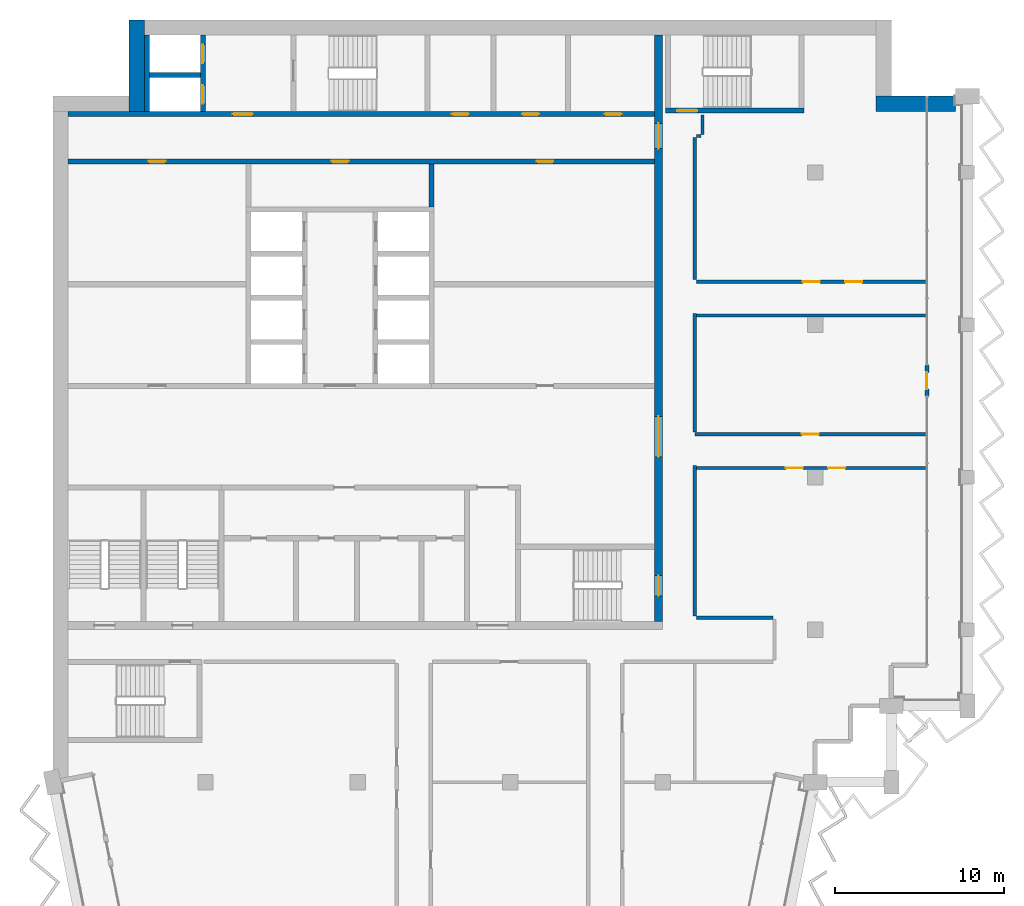
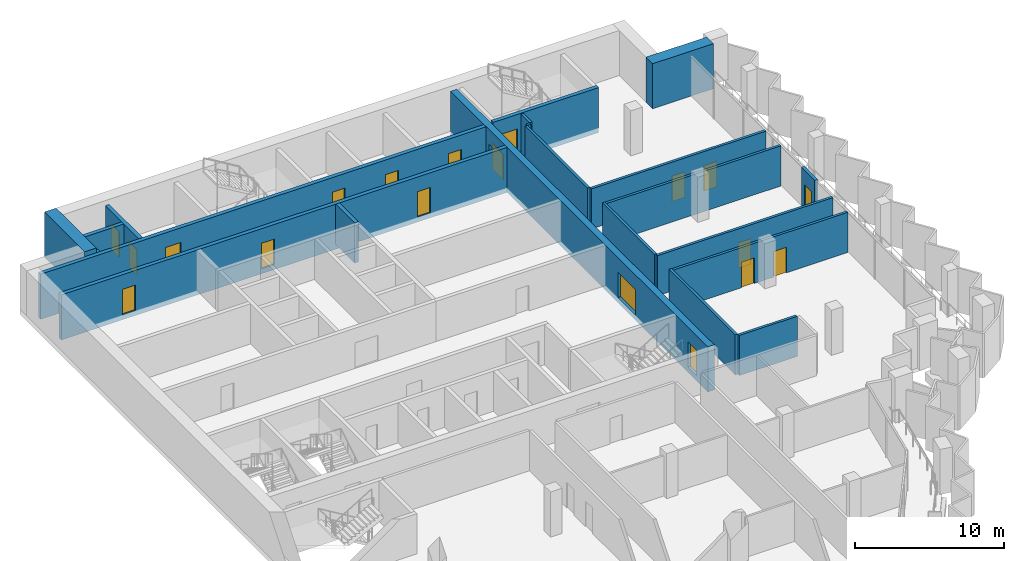
# One storey, part 9 of 14: 21 walls, 19 doors, 19 openings.
"""IFC4 building model written with IfcOpenShell, lengths in metres."""

from ifc_helpers import new_model, si_unit, direction, frame, frame_2d, origin, place, context, subcontext, project, spatial, rectangle, extrude, material, layer, layer_set, type_object, element, fill, save


model = new_model("IFC4")

# Units and contexts
model_context = context("Model", 3, precision=1e-05, world=origin(), true_north=direction((0.0, 1.0)))
body_context = subcontext(model_context, "Body", "Model", "MODEL_VIEW")
ifc_project = project(units=[si_unit("LENGTHUNIT", "METRE"), si_unit("AREAUNIT", "SQUARE_METRE"), si_unit("VOLUMEUNIT", "CUBIC_METRE"), si_unit("PLANEANGLEUNIT", "RADIAN"), si_unit("MASSUNIT", "GRAM", prefix="KILO")], contexts=[model_context])

# Site, building, storey
site_placement = place(None, origin())
site = spatial("IfcSite", under=ifc_project, at=site_placement, CompositionType="ELEMENT")
building_placement = place(site_placement, origin())
building = spatial("IfcBuilding", under=site, at=building_placement, Name="Hunhe Ridgeline Campus", CompositionType="ELEMENT")
storey_placement = place(building_placement, frame((0.0, 0.0, 288.199951171875)))
storey = spatial("IfcBuildingStorey", under=building, at=storey_placement, Name="L74", CompositionType="ELEMENT", Elevation=288.199951171875)

# Wall
ifc_material_1 = material(Name="Masonry concrete blockwork", Category="masonry")
ifc_layer_1 = layer(ifc_material_1, 0.300048828125)
ifc_layer_set_1 = layer_set([ifc_layer_1], Name="Core room partition 300 concrete block")
wall_type_1 = type_object("IfcWallType", Name="Core room partition 300 concrete block", PredefinedType="PARTITIONING", material=ifc_layer_set_1)
wall_1_placement = place(storey_placement, frame((22.35009765625, 87.949951171875, 0.0), z_axis=(0.0, 0.0, 1.0), x_axis=(0.0, 1.0, 0.0)))
element("IfcWall", 1, at=wall_1_placement, inside=storey, type_object=wall_type_1, Name="L74 core partition 38", PredefinedType="PARTITIONING", context=body_context, shape_type="SweptSolid", body=[
    extrude(rectangle(XDim=2.550048828125, YDim=0.300048828125, at=frame_2d((1.27490234375, 0.0))), origin(), (0.0, 0.0, 1.0), 3.300048828125),
])

# Wall, openings, doors
ifc_material_2 = material(Name="Concrete C50", Category="concrete")
ifc_layer_2 = layer(ifc_material_2, 0.5)
ifc_layer_set_2 = layer_set([ifc_layer_2], Name="Core wall 500 reinforced concrete C50")
wall_type_2 = type_object("IfcWallType", Name="Core wall 500 reinforced concrete C50", PredefinedType="SOLIDWALL", material=ifc_layer_set_2)
wall_2_placement = place(storey_placement, frame((35.75, 63.5, -0.39990234375), z_axis=(0.0, 0.0, 1.0), x_axis=(0.0, 1.0, 0.0)))
wall_2 = element("IfcWall", 2, at=wall_2_placement, inside=storey, type_object=wall_type_2, Name="L74 core wall 44", PredefinedType="SOLIDWALL", context=body_context, shape_type="SweptSolid", body=[
    extrude(rectangle(XDim=34.60009765625, YDim=0.5, at=frame_2d((17.300048828125, 0.0))), origin(), (0.0, 0.0, 1.0), 3.699951171875),
])
opening_1_placement = place(wall_2_placement, frame((9.699951171875, 0.0, 0.39990234375)))
opening_1 = element("IfcOpeningElement", 3, at=opening_1_placement, cuts=wall_2, Name="Opening CD4", PredefinedType="OPENING", context=body_context, shape_type="SweptSolid", body=[
    extrude(rectangle(XDim=2.39990234375, YDim=2.10009765625, at=frame_2d((1.199951171875, 1.050048828125))), frame((0.0, 0.25, 0.0), z_axis=(0.0, -1.0, 0.0), x_axis=(1.0, 0.0, 0.0)), (0.0, 0.0, 1.0), 0.5),
])
opening_2_placement = place(wall_2_placement, frame((27.89990234375, 0.0, 0.39990234375)))
opening_2 = element("IfcOpeningElement", 4, at=opening_2_placement, cuts=wall_2, Name="Opening CD5", PredefinedType="OPENING", context=body_context, shape_type="SweptSolid", body=[
    extrude(rectangle(XDim=1.5, YDim=2.10009765625, at=frame_2d((0.75, 1.050048828125))), frame((0.0, 0.25, 0.0), z_axis=(0.0, -1.0, 0.0), x_axis=(1.0, 0.0, 0.0)), (0.0, 0.0, 1.0), 0.5),
])
opening_3_placement = place(wall_2_placement, frame((1.5, 0.0, 0.39990234375)))
opening_3 = element("IfcOpeningElement", 5, at=opening_3_placement, cuts=wall_2, Name="Opening CD15", PredefinedType="OPENING", context=body_context, shape_type="SweptSolid", body=[
    extrude(rectangle(XDim=1.199951171875, YDim=2.10009765625, at=frame_2d((0.60009765625, 1.050048828125))), frame((0.0, 0.25, 0.0), z_axis=(0.0, -1.0, 0.0), x_axis=(1.0, 0.0, 0.0)), (0.0, 0.0, 1.0), 0.5),
])
ifc_material_3 = material(Name="Anodised aluminium and glass", Category="aluminium")
door_type_1 = type_object("IfcDoorType", Name="Glazed double door 2400x2100", OperationType="DOUBLE_DOOR_SINGLE_SWING", PredefinedType="DOOR", material=ifc_material_3)
door_1_placement = place(opening_1_placement, frame((2.39990234375, 0.0, 0.0), z_axis=(0.0, 0.0, 1.0), x_axis=(-1.0, 0.0, 0.0)))
door_1 = element("IfcDoor", 6, at=door_1_placement, inside=storey, type_object=door_type_1, Name="L74 door HALL-FLOOR", OperationType="DOUBLE_DOOR_SINGLE_SWING", OverallHeight=2.10009765625, OverallWidth=2.39990234375, PredefinedType="DOOR", context=body_context, shape_type="SweptSolid", body=[
    extrude(rectangle(XDim=2.39990234375, YDim=2.10009765625, at=frame_2d((1.199951171875, 1.050048828125))), frame((0.0, 0.02490234375, 0.0), z_axis=(0.0, -1.0, 0.0), x_axis=(1.0, 0.0, 0.0)), (0.0, 0.0, 1.0), 0.050048828125),
])
fill(opening_1, door_1)
ifc_material_4 = material(Name="Hollow metal fire door leaf")
door_type_2 = type_object("IfcDoorType", Name="Stair door 1200x2100 FD60", OperationType="SINGLE_SWING_LEFT", PredefinedType="DOOR", material=ifc_material_4)
door_2_placement = place(opening_3_placement, frame((1.199951171875, 0.0, 0.0), z_axis=(0.0, 0.0, 1.0), x_axis=(-1.0, 0.0, 0.0)))
door_2 = element("IfcDoor", 7, at=door_2_placement, inside=storey, type_object=door_type_2, Name="L74 door S2-FLOOR", OperationType="SINGLE_SWING_LEFT", OverallHeight=2.10009765625, OverallWidth=1.199951171875, PredefinedType="DOOR", context=body_context, shape_type="SweptSolid", body=[
    extrude(rectangle(XDim=1.199951171875, YDim=2.10009765625, at=frame_2d((0.60009765625, 1.050048828125))), frame((0.0, 0.02490234375, 0.0), z_axis=(0.0, -1.0, 0.0), x_axis=(1.0, 0.0, 0.0)), (0.0, 0.0, 1.0), 0.050048828125),
])
fill(opening_3, door_2)
ifc_material_5 = material(Name="Solid core timber door leaf", Category="wood")
door_type_3 = type_object("IfcDoorType", Name="Timber door 1500x2100", OperationType="SINGLE_SWING_LEFT", PredefinedType="DOOR", material=ifc_material_5)
door_3_placement = place(opening_2_placement, frame((1.5, 0.0, 0.0), z_axis=(0.0, 0.0, 1.0), x_axis=(-1.0, 0.0, 0.0)))
door_3 = element("IfcDoor", 8, at=door_3_placement, inside=storey, type_object=door_type_3, Name="L74 door C1-FLOOR", OperationType="SINGLE_SWING_LEFT", OverallHeight=2.10009765625, OverallWidth=1.5, PredefinedType="DOOR", context=body_context, shape_type="SweptSolid", body=[
    extrude(rectangle(XDim=1.5, YDim=2.10009765625, at=frame_2d((0.75, 1.050048828125))), frame((0.0, 0.02490234375, 0.0), z_axis=(0.0, -1.0, 0.0), x_axis=(1.0, 0.0, 0.0)), (0.0, 0.0, 1.0), 0.050048828125),
])
fill(opening_2, door_3)

# Wall
ifc_material_6 = material(Name="Gypsum board partition")
ifc_layer_3 = layer(ifc_material_6, 0.199951171875)
ifc_layer_set_3 = layer_set([ifc_layer_3], Name="Corridor partition 200 gypsum board on steel studs")
wall_type_3 = type_object("IfcWallType", Name="Corridor partition 200 gypsum board on steel studs", PredefinedType="PARTITIONING", material=ifc_layer_set_3)
wall_3_placement = place(storey_placement, frame((38.0, 63.699951171875, 0.0), z_axis=(0.0, 0.0, 1.0), x_axis=(1.0, 0.0, 0.0)))
element("IfcWall", 9, at=wall_3_placement, inside=storey, type_object=wall_type_3, Name="F-L74-wall-015", PredefinedType="PARTITIONING", context=body_context, shape_type="SweptSolid", body=[
    extrude(rectangle(XDim=4.5, YDim=0.199951171875, at=frame_2d((2.25, 0.0))), origin(), (0.0, 0.0, 1.0), 3.300048828125),
])

# Wall, openings, doors
wall_4_placement = place(storey_placement, frame((51.544921875, 72.550048828125, 0.0), z_axis=(0.0, 0.0, 1.0), x_axis=(-1.0, 0.0, 0.0)))
wall_4 = element("IfcWall", 10, at=wall_4_placement, inside=storey, type_object=wall_type_3, Name="F-L74-wall-016", PredefinedType="PARTITIONING", context=body_context, shape_type="SweptSolid", body=[
    extrude(rectangle(XDim=13.544921875, YDim=0.199951171875, at=frame_2d((6.7724609375, 0.0))), origin(), (0.0, 0.0, 1.0), 3.300048828125),
])
opening_4_placement = place(wall_4_placement, frame((7.2724609375, 0.0, 0.0)))
opening_4 = element("IfcOpeningElement", 11, at=opening_4_placement, cuts=wall_4, Name="Opening RD1-012", PredefinedType="OPENING", context=body_context, shape_type="SweptSolid", body=[
    extrude(rectangle(XDim=1.0, YDim=2.10009765625, at=frame_2d((0.5, 1.050048828125))), frame((0.0, 0.10009765625, 0.0), z_axis=(0.0, -1.0, 0.0), x_axis=(1.0, 0.0, 0.0)), (0.0, 0.0, 1.0), 0.199951171875),
])
opening_5_placement = place(wall_4_placement, frame((4.7724609375, 0.0, 0.0)))
opening_5 = element("IfcOpeningElement", 12, at=opening_5_placement, cuts=wall_4, Name="Opening RD1-013", PredefinedType="OPENING", context=body_context, shape_type="SweptSolid", body=[
    extrude(rectangle(XDim=1.0, YDim=2.10009765625, at=frame_2d((0.5, 1.050048828125))), frame((0.0, 0.10009765625, 0.0), z_axis=(0.0, -1.0, 0.0), x_axis=(1.0, 0.0, 0.0)), (0.0, 0.0, 1.0), 0.199951171875),
])
ifc_material_7 = material(Name="Timber door leaf", Category="wood")
door_type_4 = type_object("IfcDoorType", Name="Single fire door 1000x2100 timber FD60", OperationType="NOTDEFINED", PredefinedType="DOOR", material=ifc_material_7)
door_4_placement = place(opening_4_placement, frame((1.0, 0.0, 0.0), z_axis=(0.0, 0.0, 1.0), x_axis=(-1.0, 0.0, 0.0)))
door_4 = element("IfcDoor", 13, at=door_4_placement, inside=storey, type_object=door_type_4, Name="F-L74-door-012", OperationType="SINGLE_SWING_LEFT", OverallHeight=2.10009765625, OverallWidth=1.0, PredefinedType="DOOR", context=body_context, shape_type="SweptSolid", body=[
    extrude(rectangle(XDim=1.0, YDim=2.10009765625, at=frame_2d((0.5, 1.050048828125))), frame((0.0, 0.02490234375, 0.0), z_axis=(0.0, -1.0, 0.0), x_axis=(1.0, 0.0, 0.0)), (0.0, 0.0, 1.0), 0.050048828125),
])
fill(opening_4, door_4)
door_5_placement = place(opening_5_placement, frame((1.0, 0.0, 0.0), z_axis=(0.0, 0.0, 1.0), x_axis=(-1.0, 0.0, 0.0)))
door_5 = element("IfcDoor", 14, at=door_5_placement, inside=storey, type_object=door_type_4, Name="F-L74-door-013", OperationType="SINGLE_SWING_RIGHT", OverallHeight=2.10009765625, OverallWidth=1.0, PredefinedType="DOOR", context=body_context, shape_type="SweptSolid", body=[
    extrude(rectangle(XDim=1.0, YDim=2.10009765625, at=frame_2d((0.5, 1.050048828125))), frame((0.0, 0.02490234375, 0.0), z_axis=(0.0, -1.0, 0.0), x_axis=(1.0, 0.0, 0.0)), (0.0, 0.0, 1.0), 0.050048828125),
])
fill(opening_5, door_5)

# Wall, opening, door
wall_5_placement = place(storey_placement, frame((37.89990234375, 74.550048828125, 0.0), z_axis=(0.0, 0.0, 1.0), x_axis=(1.0, 0.0, 0.0)))
wall_5 = element("IfcWall", 15, at=wall_5_placement, inside=storey, type_object=wall_type_3, Name="F-L74-wall-017", PredefinedType="PARTITIONING", context=body_context, shape_type="SweptSolid", body=[
    extrude(rectangle(XDim=13.64501953125, YDim=0.199951171875, at=frame_2d((6.822509765625, 0.0))), origin(), (0.0, 0.0, 1.0), 3.300048828125),
])
opening_6_placement = place(wall_5_placement, frame((6.322509765625, 0.0, 0.0)))
opening_6 = element("IfcOpeningElement", 16, at=opening_6_placement, cuts=wall_5, Name="Opening RD1-014", PredefinedType="OPENING", context=body_context, shape_type="SweptSolid", body=[
    extrude(rectangle(XDim=1.0, YDim=2.10009765625, at=frame_2d((0.5, 1.050048828125))), frame((0.0, 0.10009765625, 0.0), z_axis=(0.0, -1.0, 0.0), x_axis=(1.0, 0.0, 0.0)), (0.0, 0.0, 1.0), 0.199951171875),
])
door_6_placement = place(opening_6_placement, origin())
door_6 = element("IfcDoor", 17, at=door_6_placement, inside=storey, type_object=door_type_4, Name="F-L74-door-014", OperationType="SINGLE_SWING_RIGHT", OverallHeight=2.10009765625, OverallWidth=1.0, PredefinedType="DOOR", context=body_context, shape_type="SweptSolid", body=[
    extrude(rectangle(XDim=1.0, YDim=2.10009765625, at=frame_2d((0.5, 1.050048828125))), frame((0.0, 0.02490234375, 0.0), z_axis=(0.0, -1.0, 0.0), x_axis=(1.0, 0.0, 0.0)), (0.0, 0.0, 1.0), 0.050048828125),
])
fill(opening_6, door_6)

# Wall
wall_6_placement = place(storey_placement, frame((51.544921875, 81.550048828125, 0.0), z_axis=(0.0, 0.0, 1.0), x_axis=(-1.0, 0.0, 0.0)))
element("IfcWall", 18, at=wall_6_placement, inside=storey, type_object=wall_type_3, Name="F-L74-wall-018", PredefinedType="PARTITIONING", context=body_context, shape_type="SweptSolid", body=[
    extrude(rectangle(XDim=13.544921875, YDim=0.199951171875, at=frame_2d((6.7724609375, 0.0))), origin(), (0.0, 0.0, 1.0), 3.300048828125),
])

# Wall, openings, doors
wall_7_placement = place(storey_placement, frame((38.0, 83.550048828125, 0.0), z_axis=(0.0, 0.0, 1.0), x_axis=(1.0, 0.0, 0.0)))
wall_7 = element("IfcWall", 19, at=wall_7_placement, inside=storey, type_object=wall_type_3, Name="F-L74-wall-019", PredefinedType="PARTITIONING", context=body_context, shape_type="SweptSolid", body=[
    extrude(rectangle(XDim=13.544921875, YDim=0.199951171875, at=frame_2d((6.7724609375, 0.0))), origin(), (0.0, 0.0, 1.0), 3.300048828125),
])
opening_7_placement = place(wall_7_placement, frame((6.2724609375, 0.0, 0.0)))
opening_7 = element("IfcOpeningElement", 20, at=opening_7_placement, cuts=wall_7, Name="Opening RD1-015", PredefinedType="OPENING", context=body_context, shape_type="SweptSolid", body=[
    extrude(rectangle(XDim=1.0, YDim=2.10009765625, at=frame_2d((0.5, 1.050048828125))), frame((0.0, 0.10009765625, 0.0), z_axis=(0.0, -1.0, 0.0), x_axis=(1.0, 0.0, 0.0)), (0.0, 0.0, 1.0), 0.199951171875),
])
opening_8_placement = place(wall_7_placement, frame((8.7724609375, 0.0, 0.0)))
opening_8 = element("IfcOpeningElement", 21, at=opening_8_placement, cuts=wall_7, Name="Opening RD1-016", PredefinedType="OPENING", context=body_context, shape_type="SweptSolid", body=[
    extrude(rectangle(XDim=1.0, YDim=2.10009765625, at=frame_2d((0.5, 1.050048828125))), frame((0.0, 0.10009765625, 0.0), z_axis=(0.0, -1.0, 0.0), x_axis=(1.0, 0.0, 0.0)), (0.0, 0.0, 1.0), 0.199951171875),
])
door_7_placement = place(opening_7_placement, frame((1.0, 0.0, 0.0), z_axis=(0.0, 0.0, 1.0), x_axis=(-1.0, 0.0, 0.0)))
door_7 = element("IfcDoor", 22, at=door_7_placement, inside=storey, type_object=door_type_4, Name="F-L74-door-015", OperationType="SINGLE_SWING_LEFT", OverallHeight=2.10009765625, OverallWidth=1.0, PredefinedType="DOOR", context=body_context, shape_type="SweptSolid", body=[
    extrude(rectangle(XDim=1.0, YDim=2.10009765625, at=frame_2d((0.5, 1.050048828125))), frame((0.0, 0.02490234375, 0.0), z_axis=(0.0, -1.0, 0.0), x_axis=(1.0, 0.0, 0.0)), (0.0, 0.0, 1.0), 0.050048828125),
])
fill(opening_7, door_7)
door_8_placement = place(opening_8_placement, frame((1.0, 0.0, 0.0), z_axis=(0.0, 0.0, 1.0), x_axis=(-1.0, 0.0, 0.0)))
door_8 = element("IfcDoor", 23, at=door_8_placement, inside=storey, type_object=door_type_4, Name="F-L74-door-016", OperationType="SINGLE_SWING_LEFT", OverallHeight=2.10009765625, OverallWidth=1.0, PredefinedType="DOOR", context=body_context, shape_type="SweptSolid", body=[
    extrude(rectangle(XDim=1.0, YDim=2.10009765625, at=frame_2d((0.5, 1.050048828125))), frame((0.0, 0.02490234375, 0.0), z_axis=(0.0, -1.0, 0.0), x_axis=(1.0, 0.0, 0.0)), (0.0, 0.0, 1.0), 0.050048828125),
])
fill(opening_8, door_8)

# Walls
wall_8_placement = place(storey_placement, frame((38.25, 92.14990234375, 0.0), z_axis=(0.0, 0.0, 1.0), x_axis=(-1.0, 0.0, 0.0)))
element("IfcWall", 24, at=wall_8_placement, inside=storey, type_object=wall_type_3, Name="F-L74-wall-020", PredefinedType="PARTITIONING", context=body_context, shape_type="SweptSolid", body=[
    extrude(rectangle(XDim=0.25, YDim=0.199951171875, at=frame_2d((0.125, 0.0))), origin(), (0.0, 0.0, 1.0), 3.300048828125),
])
wall_9_placement = place(storey_placement, frame((37.89990234375, 72.684326171875, 0.0), z_axis=(0.0, 0.0, 1.0), x_axis=(0.0, -1.0, 0.0)))
element("IfcWall", 25, at=wall_9_placement, inside=storey, type_object=wall_type_3, Name="F-L74-wall-026", PredefinedType="PARTITIONING", context=body_context, shape_type="SweptSolid", body=[
    extrude(rectangle(XDim=8.88427734375, YDim=0.199951171875, at=frame_2d((4.442138671875, 0.0))), origin(), (0.0, 0.0, 1.0), 3.300048828125),
])
wall_10_placement = place(storey_placement, frame((37.89990234375, 81.66845703125, 0.0), z_axis=(0.0, 0.0, 1.0), x_axis=(0.0, -1.0, 0.0)))
element("IfcWall", 26, at=wall_10_placement, inside=storey, type_object=wall_type_3, Name="F-L74-wall-027", PredefinedType="PARTITIONING", context=body_context, shape_type="SweptSolid", body=[
    extrude(rectangle(XDim=6.98779296875, YDim=0.199951171875, at=frame_2d((3.493896484375, 0.0))), origin(), (0.0, 0.0, 1.0), 3.300048828125),
])
wall_11_placement = place(storey_placement, frame((37.89990234375, 92.050048828125, 0.0), z_axis=(0.0, 0.0, 1.0), x_axis=(0.0, -1.0, 0.0)))
element("IfcWall", 27, at=wall_11_placement, inside=storey, type_object=wall_type_3, Name="F-L74-wall-028", PredefinedType="PARTITIONING", context=body_context, shape_type="SweptSolid", body=[
    extrude(rectangle(XDim=8.38525390625, YDim=0.199951171875, at=frame_2d((4.192626953125, 0.0))), origin(), (0.0, 0.0, 1.0), 3.300048828125),
])
wall_12_placement = place(storey_placement, frame((38.35009765625, 93.39599609375, 0.0), z_axis=(0.0, 0.0, 1.0), x_axis=(0.0, -1.0, 0.0)))
element("IfcWall", 28, at=wall_12_placement, inside=storey, type_object=wall_type_3, Name="F-L74-wall-029", PredefinedType="PARTITIONING", context=body_context, shape_type="SweptSolid", body=[
    extrude(rectangle(XDim=1.14599609375, YDim=0.199951171875, at=frame_2d((0.572998046875, 0.0))), origin(), (0.0, 0.0, 1.0), 3.300048828125),
])

# Wall, openings, doors
ifc_layer_4 = layer(ifc_material_2, 0.300048828125)
ifc_layer_set_4 = layer_set([ifc_layer_4], Name="Lobby wall 300 reinforced concrete C50")
wall_type_4 = type_object("IfcWallType", Name="Lobby wall 300 reinforced concrete C50", PredefinedType="SOLIDWALL", material=ifc_layer_set_4)
wall_13_placement = place(storey_placement, frame((0.89990234375, 90.64990234375, -0.39990234375), z_axis=(0.0, 0.0, 1.0), x_axis=(1.0, 0.0, 0.0)))
wall_13 = element("IfcWall", 29, at=wall_13_placement, inside=storey, type_object=wall_type_4, Name="L74 core wall 19", PredefinedType="SOLIDWALL", context=body_context, shape_type="SweptSolid", body=[
    extrude(rectangle(XDim=34.60009765625, YDim=0.300048828125, at=frame_2d((17.300048828125, 0.0))), origin(), (0.0, 0.0, 1.0), 3.699951171875),
])
opening_9_placement = place(wall_13_placement, frame((15.550048828125, 0.0, 0.39990234375)))
opening_9 = element("IfcOpeningElement", 30, at=opening_9_placement, cuts=wall_13, Name="Opening CD26", PredefinedType="OPENING", context=body_context, shape_type="SweptSolid", body=[
    extrude(rectangle(XDim=1.0, YDim=2.10009765625, at=frame_2d((0.5, 1.050048828125))), frame((0.0, 0.14990234375, 0.0), z_axis=(0.0, -1.0, 0.0), x_axis=(1.0, 0.0, 0.0)), (0.0, 0.0, 1.0), 0.300048828125),
])
opening_10_placement = place(wall_13_placement, frame((4.75, 0.0, 0.39990234375)))
opening_10 = element("IfcOpeningElement", 31, at=opening_10_placement, cuts=wall_13, Name="Opening CD40", PredefinedType="OPENING", context=body_context, shape_type="SweptSolid", body=[
    extrude(rectangle(XDim=1.0, YDim=2.10009765625, at=frame_2d((0.5, 1.050048828125))), frame((0.0, 0.14990234375, 0.0), z_axis=(0.0, -1.0, 0.0), x_axis=(1.0, 0.0, 0.0)), (0.0, 0.0, 1.0), 0.300048828125),
])
opening_11_placement = place(wall_13_placement, frame((27.64990234375, 0.0, 0.39990234375)))
opening_11 = element("IfcOpeningElement", 32, at=opening_11_placement, cuts=wall_13, Name="Opening CD33", PredefinedType="OPENING", context=body_context, shape_type="SweptSolid", body=[
    extrude(rectangle(XDim=1.0, YDim=2.10009765625, at=frame_2d((0.5, 1.050048828125))), frame((0.0, 0.14990234375, 0.0), z_axis=(0.0, -1.0, 0.0), x_axis=(1.0, 0.0, 0.0)), (0.0, 0.0, 1.0), 0.300048828125),
])
door_type_5 = type_object("IfcDoorType", Name="Timber door 1000x2100", OperationType="SINGLE_SWING_LEFT", PredefinedType="DOOR", material=ifc_material_5)
door_9_placement = place(opening_9_placement, frame((1.0, 0.0, 0.0), z_axis=(0.0, 0.0, 1.0), x_axis=(-1.0, 0.0, 0.0)))
door_9 = element("IfcDoor", 33, at=door_9_placement, inside=storey, type_object=door_type_5, Name="L74 door NR-0", OperationType="SINGLE_SWING_LEFT", OverallHeight=2.10009765625, OverallWidth=1.0, PredefinedType="DOOR", context=body_context, shape_type="SweptSolid", body=[
    extrude(rectangle(XDim=1.0, YDim=2.10009765625, at=frame_2d((0.5, 1.050048828125))), frame((0.0, 0.02490234375, 0.0), z_axis=(0.0, -1.0, 0.0), x_axis=(1.0, 0.0, 0.0)), (0.0, 0.0, 1.0), 0.050048828125),
])
fill(opening_9, door_9)
door_10_placement = place(opening_10_placement, frame((1.0, 0.0, 0.0), z_axis=(0.0, 0.0, 1.0), x_axis=(-1.0, 0.0, 0.0)))
door_10 = element("IfcDoor", 34, at=door_10_placement, inside=storey, type_object=door_type_5, Name="L74 door VD-LR1", OperationType="SINGLE_SWING_LEFT", OverallHeight=2.10009765625, OverallWidth=1.0, PredefinedType="DOOR", context=body_context, shape_type="SweptSolid", body=[
    extrude(rectangle(XDim=1.0, YDim=2.10009765625, at=frame_2d((0.5, 1.050048828125))), frame((0.0, 0.02490234375, 0.0), z_axis=(0.0, -1.0, 0.0), x_axis=(1.0, 0.0, 0.0)), (0.0, 0.0, 1.0), 0.050048828125),
])
fill(opening_10, door_10)
door_11_placement = place(opening_11_placement, frame((1.0, 0.0, 0.0), z_axis=(0.0, 0.0, 1.0), x_axis=(-1.0, 0.0, 0.0)))
door_11 = element("IfcDoor", 35, at=door_11_placement, inside=storey, type_object=door_type_5, Name="L74 door ES1", OperationType="SINGLE_SWING_RIGHT", OverallHeight=2.10009765625, OverallWidth=1.0, PredefinedType="DOOR", context=body_context, shape_type="SweptSolid", body=[
    extrude(rectangle(XDim=1.0, YDim=2.10009765625, at=frame_2d((0.5, 1.050048828125))), frame((0.0, 0.02490234375, 0.0), z_axis=(0.0, -1.0, 0.0), x_axis=(1.0, 0.0, 0.0)), (0.0, 0.0, 1.0), 0.050048828125),
])
fill(opening_11, door_11)

# Wall, opening, door
ifc_material_8 = material(Name="Concrete C30", Category="concrete")
ifc_layer_5 = layer(ifc_material_8, 0.25)
ifc_layer_set_5 = layer_set([ifc_layer_5], Name="Loggia door pier wall 250 Concrete C30")
wall_type_5 = type_object("IfcWallType", Name="Loggia door pier wall 250 Concrete C30", PredefinedType="SOLIDWALL", material=ifc_layer_set_5)
wall_14_placement = place(storey_placement, frame((51.59912109375, 76.800537109375, 0.0), z_axis=(0.0, 0.0, 1.0), x_axis=(0.0, 1.0, 0.0)))
wall_14 = element("IfcWall", 36, at=wall_14_placement, inside=storey, type_object=wall_type_5, Name="Loggia door pier 3", PredefinedType="SOLIDWALL", context=body_context, shape_type="SweptSolid", body=[
    extrude(rectangle(XDim=1.800048828125, YDim=0.25, at=frame_2d((0.89990234375, 0.0))), origin(), (0.0, 0.0, 1.0), 3.300048828125),
])
opening_12_placement = place(wall_14_placement, frame((0.39990234375, 0.0, 0.0)))
opening_12 = element("IfcOpeningElement", 37, at=opening_12_placement, cuts=wall_14, Name="Opening BD605", PredefinedType="OPENING", context=body_context, shape_type="SweptSolid", body=[
    extrude(rectangle(XDim=1.0, YDim=2.10009765625, at=frame_2d((0.5, 1.050048828125))), frame((0.0, 0.125, 0.0), z_axis=(0.0, -1.0, 0.0), x_axis=(1.0, 0.0, 0.0)), (0.0, 0.0, 1.0), 0.25),
])
ifc_material_9 = material(Name="Aluminium 6063", Category="aluminium")
door_type_6 = type_object("IfcDoorType", Name="Loggia glazed door 1000x2100", OperationType="NOTDEFINED", PredefinedType="DOOR", material=ifc_material_9)
door_12_placement = place(opening_12_placement, frame((1.0, 0.0, 0.0), z_axis=(0.0, 0.0, 1.0), x_axis=(-1.0, 0.0, 0.0)))
door_12 = element("IfcDoor", 38, at=door_12_placement, inside=storey, type_object=door_type_6, Name="Loggia door BD605", OperationType="SINGLE_SWING_RIGHT", OverallHeight=2.10009765625, OverallWidth=1.0, PredefinedType="DOOR", context=body_context, shape_type="SweptSolid", body=[
    extrude(rectangle(XDim=1.0, YDim=2.10009765625, at=frame_2d((0.5, 1.050048828125))), frame((0.0, 0.02490234375, 0.0), z_axis=(0.0, -1.0, 0.0), x_axis=(1.0, 0.0, 0.0)), (0.0, 0.0, 1.0), 0.050048828125),
])
fill(opening_12, door_12)

# Wall, openings, doors
ifc_layer_6 = layer(ifc_material_2, 0.300048828125)
ifc_layer_set_6 = layer_set([ifc_layer_6], Name="Shaft wall 300 reinforced concrete C50")
wall_type_6 = type_object("IfcWallType", Name="Shaft wall 300 reinforced concrete C50", PredefinedType="SOLIDWALL", material=ifc_layer_set_6)
wall_15_placement = place(storey_placement, frame((0.89990234375, 93.449951171875, -0.39990234375), z_axis=(0.0, 0.0, 1.0), x_axis=(1.0, 0.0, 0.0)))
wall_15 = element("IfcWall", 39, at=wall_15_placement, inside=storey, type_object=wall_type_6, Name="L74 core wall 20", PredefinedType="SOLIDWALL", context=body_context, shape_type="SweptSolid", body=[
    extrude(rectangle(XDim=34.60009765625, YDim=0.300048828125, at=frame_2d((17.300048828125, 0.0))), origin(), (0.0, 0.0, 1.0), 3.699951171875),
])
opening_13_placement = place(wall_15_placement, frame((9.699951171875, 0.0, 0.39990234375)))
opening_13 = element("IfcOpeningElement", 40, at=opening_13_placement, cuts=wall_15, Name="Opening CD3", PredefinedType="OPENING", context=body_context, shape_type="SweptSolid", body=[
    extrude(rectangle(XDim=1.199951171875, YDim=2.10009765625, at=frame_2d((0.60009765625, 1.050048828125))), frame((0.0, 0.14990234375, 0.0), z_axis=(0.0, -1.0, 0.0), x_axis=(1.0, 0.0, 0.0)), (0.0, 0.0, 1.0), 0.300048828125),
])
opening_14_placement = place(wall_15_placement, frame((22.64990234375, 0.0, 0.39990234375)))
opening_14 = element("IfcOpeningElement", 41, at=opening_14_placement, cuts=wall_15, Name="Opening CD34", PredefinedType="OPENING", context=body_context, shape_type="SweptSolid", body=[
    extrude(rectangle(XDim=1.0, YDim=2.10009765625, at=frame_2d((0.5, 1.050048828125))), frame((0.0, 0.14990234375, 0.0), z_axis=(0.0, -1.0, 0.0), x_axis=(1.0, 0.0, 0.0)), (0.0, 0.0, 1.0), 0.300048828125),
])
opening_15_placement = place(wall_15_placement, frame((26.800048828125, 0.0, 0.39990234375)))
opening_15 = element("IfcOpeningElement", 42, at=opening_15_placement, cuts=wall_15, Name="Opening CD35", PredefinedType="OPENING", context=body_context, shape_type="SweptSolid", body=[
    extrude(rectangle(XDim=1.0, YDim=2.10009765625, at=frame_2d((0.5, 1.050048828125))), frame((0.0, 0.14990234375, 0.0), z_axis=(0.0, -1.0, 0.0), x_axis=(1.0, 0.0, 0.0)), (0.0, 0.0, 1.0), 0.300048828125),
])
opening_16_placement = place(wall_15_placement, frame((31.675048828125, 0.0, 0.39990234375)))
opening_16 = element("IfcOpeningElement", 43, at=opening_16_placement, cuts=wall_15, Name="Opening CD36", PredefinedType="OPENING", context=body_context, shape_type="SweptSolid", body=[
    extrude(rectangle(XDim=1.0, YDim=2.10009765625, at=frame_2d((0.5, 1.050048828125))), frame((0.0, 0.14990234375, 0.0), z_axis=(0.0, -1.0, 0.0), x_axis=(1.0, 0.0, 0.0)), (0.0, 0.0, 1.0), 0.300048828125),
])
door_type_7 = type_object("IfcDoorType", Name="Lobby door 1200x2100 FD60", OperationType="SINGLE_SWING_LEFT", PredefinedType="DOOR", material=ifc_material_4)
door_13_placement = place(opening_13_placement, frame((1.199951171875, 0.0, 0.0), z_axis=(0.0, 0.0, 1.0), x_axis=(-1.0, 0.0, 0.0)))
door_13 = element("IfcDoor", 44, at=door_13_placement, inside=storey, type_object=door_type_7, Name="L74 door FF-C1", OperationType="SINGLE_SWING_RIGHT", OverallHeight=2.10009765625, OverallWidth=1.199951171875, PredefinedType="DOOR", context=body_context, shape_type="SweptSolid", body=[
    extrude(rectangle(XDim=1.199951171875, YDim=2.10009765625, at=frame_2d((0.60009765625, 1.050048828125))), frame((0.0, 0.02490234375, 0.0), z_axis=(0.0, -1.0, 0.0), x_axis=(1.0, 0.0, 0.0)), (0.0, 0.0, 1.0), 0.050048828125),
])
fill(opening_13, door_13)
door_14_placement = place(opening_14_placement, origin())
door_14 = element("IfcDoor", 45, at=door_14_placement, inside=storey, type_object=door_type_5, Name="L74 door NB0", OperationType="SINGLE_SWING_RIGHT", OverallHeight=2.10009765625, OverallWidth=1.0, PredefinedType="DOOR", context=body_context, shape_type="SweptSolid", body=[
    extrude(rectangle(XDim=1.0, YDim=2.10009765625, at=frame_2d((0.5, 1.050048828125))), frame((0.0, 0.02490234375, 0.0), z_axis=(0.0, -1.0, 0.0), x_axis=(1.0, 0.0, 0.0)), (0.0, 0.0, 1.0), 0.050048828125),
])
fill(opening_14, door_14)
door_15_placement = place(opening_15_placement, origin())
door_15 = element("IfcDoor", 46, at=door_15_placement, inside=storey, type_object=door_type_5, Name="L74 door NB1", OperationType="SINGLE_SWING_LEFT", OverallHeight=2.10009765625, OverallWidth=1.0, PredefinedType="DOOR", context=body_context, shape_type="SweptSolid", body=[
    extrude(rectangle(XDim=1.0, YDim=2.10009765625, at=frame_2d((0.5, 1.050048828125))), frame((0.0, 0.02490234375, 0.0), z_axis=(0.0, -1.0, 0.0), x_axis=(1.0, 0.0, 0.0)), (0.0, 0.0, 1.0), 0.050048828125),
])
fill(opening_15, door_15)
door_16_placement = place(opening_16_placement, origin())
door_16 = element("IfcDoor", 47, at=door_16_placement, inside=storey, type_object=door_type_5, Name="L74 door NB2", OperationType="SINGLE_SWING_RIGHT", OverallHeight=2.10009765625, OverallWidth=1.0, PredefinedType="DOOR", context=body_context, shape_type="SweptSolid", body=[
    extrude(rectangle(XDim=1.0, YDim=2.10009765625, at=frame_2d((0.5, 1.050048828125))), frame((0.0, 0.02490234375, 0.0), z_axis=(0.0, -1.0, 0.0), x_axis=(1.0, 0.0, 0.0)), (0.0, 0.0, 1.0), 0.050048828125),
])
fill(opening_16, door_16)

# Walls
wall_16_placement = place(storey_placement, frame((5.699951171875, 95.75, -0.39990234375), z_axis=(0.0, 0.0, 1.0), x_axis=(1.0, 0.0, 0.0)))
element("IfcWall", 48, at=wall_16_placement, inside=storey, type_object=wall_type_6, Name="L74 core wall 22", PredefinedType="SOLIDWALL", context=body_context, shape_type="SweptSolid", body=[
    extrude(rectangle(XDim=3.0, YDim=0.300048828125, at=frame_2d((1.5, 0.0))), origin(), (0.0, 0.0, 1.0), 3.699951171875),
])
wall_17_placement = place(storey_placement, frame((5.550048828125, 93.60009765625, -0.39990234375), z_axis=(0.0, 0.0, 1.0), x_axis=(0.0, 1.0, 0.0)))
element("IfcWall", 49, at=wall_17_placement, inside=storey, type_object=wall_type_6, Name="L74 core wall 24", PredefinedType="SOLIDWALL", context=body_context, shape_type="SweptSolid", body=[
    extrude(rectangle(XDim=4.5, YDim=0.300048828125, at=frame_2d((2.25, 0.0))), origin(), (0.0, 0.0, 1.0), 3.699951171875),
])

# Wall, openings, doors
wall_18_placement = place(storey_placement, frame((8.85009765625, 93.60009765625, -0.39990234375), z_axis=(0.0, 0.0, 1.0), x_axis=(0.0, 1.0, 0.0)))
wall_18 = element("IfcWall", 50, at=wall_18_placement, inside=storey, type_object=wall_type_6, Name="L74 core wall 26", PredefinedType="SOLIDWALL", context=body_context, shape_type="SweptSolid", body=[
    extrude(rectangle(XDim=4.5, YDim=0.300048828125, at=frame_2d((2.25, 0.0))), origin(), (0.0, 0.0, 1.0), 3.699951171875),
])
opening_17_placement = place(wall_18_placement, frame((0.449951171875, 0.0, 0.39990234375)))
opening_17 = element("IfcOpeningElement", 51, at=opening_17_placement, cuts=wall_18, Name="Opening LD-FF1", PredefinedType="OPENING", context=body_context, shape_type="SweptSolid", body=[
    extrude(rectangle(XDim=1.10009765625, YDim=2.10009765625, at=frame_2d((0.550048828125, 1.050048828125))), frame((0.0, 0.14990234375, 0.0), z_axis=(0.0, -1.0, 0.0), x_axis=(1.0, 0.0, 0.0)), (0.0, 0.0, 1.0), 0.300048828125),
])
opening_18_placement = place(wall_18_placement, frame((2.85009765625, 0.0, 0.39990234375)))
opening_18 = element("IfcOpeningElement", 52, at=opening_18_placement, cuts=wall_18, Name="Opening LD-FF2", PredefinedType="OPENING", context=body_context, shape_type="SweptSolid", body=[
    extrude(rectangle(XDim=1.10009765625, YDim=2.10009765625, at=frame_2d((0.550048828125, 1.050048828125))), frame((0.0, 0.14990234375, 0.0), z_axis=(0.0, -1.0, 0.0), x_axis=(1.0, 0.0, 0.0)), (0.0, 0.0, 1.0), 0.300048828125),
])
ifc_material_10 = material(Name="Stainless steel sliding leaves", Category="steel")
door_type_8 = type_object("IfcDoorType", Name="Landing door 1100x2100 FD120", OperationType="SLIDING_TO_LEFT", PredefinedType="DOOR", material=ifc_material_10)
door_17_placement = place(opening_17_placement, origin())
door_17 = element("IfcDoor", 53, at=door_17_placement, inside=storey, type_object=door_type_8, Name="L74 landing door FF1", OperationType="SLIDING_TO_RIGHT", OverallHeight=2.10009765625, OverallWidth=1.10009765625, PredefinedType="DOOR", context=body_context, shape_type="SweptSolid", body=[
    extrude(rectangle(XDim=1.10009765625, YDim=2.10009765625, at=frame_2d((0.550048828125, 1.050048828125))), frame((0.0, 0.02490234375, 0.0), z_axis=(0.0, -1.0, 0.0), x_axis=(1.0, 0.0, 0.0)), (0.0, 0.0, 1.0), 0.050048828125),
])
fill(opening_17, door_17)
door_18_placement = place(opening_18_placement, origin())
door_18 = element("IfcDoor", 54, at=door_18_placement, inside=storey, type_object=door_type_8, Name="L74 landing door FF2", OperationType="SLIDING_TO_LEFT", OverallHeight=2.10009765625, OverallWidth=1.10009765625, PredefinedType="DOOR", context=body_context, shape_type="SweptSolid", body=[
    extrude(rectangle(XDim=1.10009765625, YDim=2.10009765625, at=frame_2d((0.550048828125, 1.050048828125))), frame((0.0, 0.02490234375, 0.0), z_axis=(0.0, -1.0, 0.0), x_axis=(1.0, 0.0, 0.0)), (0.0, 0.0, 1.0), 0.050048828125),
])
fill(opening_18, door_18)

# Walls
ifc_layer_7 = layer(ifc_material_2, 0.89990234375)
ifc_layer_set_7 = layer_set([ifc_layer_7], Name="Spine wall 900 Concrete C50")
wall_type_7 = type_object("IfcWallType", Name="Spine wall 900 Concrete C50", PredefinedType="SHEAR", material=ifc_layer_set_7)
wall_19_placement = place(storey_placement, frame((53.300048828125, 94.050048828125, 0.0), z_axis=(0.0, 0.0, 1.0), x_axis=(-1.0, 0.0, 0.0)))
element("IfcWall", 55, at=wall_19_placement, inside=storey, type_object=wall_type_7, Name="Spine wall SW4-2 L74", PredefinedType="SHEAR", context=body_context, shape_type="SweptSolid", body=[
    extrude(rectangle(XDim=4.699951171875, YDim=0.89990234375, at=frame_2d((2.35009765625, 0.0))), origin(), (0.0, 0.0, 1.0), 3.699951171875),
])
wall_20_placement = place(storey_placement, frame((4.949951171875, 99.0, 0.0), z_axis=(0.0, 0.0, 1.0), x_axis=(0.0, -1.0, 0.0)))
element("IfcWall", 56, at=wall_20_placement, inside=storey, type_object=wall_type_7, Name="Spine wall SW4-5 L74", PredefinedType="SHEAR", context=body_context, shape_type="SweptSolid", body=[
    extrude(rectangle(XDim=5.400146484375, YDim=0.89990234375, at=frame_2d((2.7001953125, 0.0))), origin(), (0.0, 0.0, 1.0), 3.699951171875),
])

# Wall, opening, door
ifc_layer_8 = layer(ifc_material_2, 0.300048828125)
ifc_layer_set_8 = layer_set([ifc_layer_8], Name="Stair wall 300 reinforced concrete C50")
wall_type_8 = type_object("IfcWallType", Name="Stair wall 300 reinforced concrete C50", PredefinedType="SOLIDWALL", material=ifc_layer_set_8)
wall_21_placement = place(storey_placement, frame((36.14990234375, 93.64990234375, -0.39990234375), z_axis=(0.0, 0.0, 1.0), x_axis=(1.0, 0.0, 0.0)))
wall_21 = element("IfcWall", 57, at=wall_21_placement, inside=storey, type_object=wall_type_8, Name="L74 core wall 21", PredefinedType="SOLIDWALL", context=body_context, shape_type="SweptSolid", body=[
    extrude(rectangle(XDim=8.2001953125, YDim=0.300048828125, at=frame_2d((4.10009765625, 0.0))), origin(), (0.0, 0.0, 1.0), 3.699951171875),
])
opening_19_placement = place(wall_21_placement, frame((0.699951171875, 0.0, 0.39990234375)))
opening_19 = element("IfcOpeningElement", 58, at=opening_19_placement, cuts=wall_21, Name="Opening CD17", PredefinedType="OPENING", context=body_context, shape_type="SweptSolid", body=[
    extrude(rectangle(XDim=1.199951171875, YDim=2.10009765625, at=frame_2d((0.60009765625, 1.050048828125))), frame((0.0, 0.14990234375, 0.0), z_axis=(0.0, -1.0, 0.0), x_axis=(1.0, 0.0, 0.0)), (0.0, 0.0, 1.0), 0.300048828125),
])
door_19_placement = place(opening_19_placement, frame((1.199951171875, 0.0, 0.0), z_axis=(0.0, 0.0, 1.0), x_axis=(-1.0, 0.0, 0.0)))
door_19 = element("IfcDoor", 59, at=door_19_placement, inside=storey, type_object=door_type_2, Name="L74 door E1", OperationType="SINGLE_SWING_LEFT", OverallHeight=2.10009765625, OverallWidth=1.199951171875, PredefinedType="DOOR", context=body_context, shape_type="SweptSolid", body=[
    extrude(rectangle(XDim=1.199951171875, YDim=2.10009765625, at=frame_2d((0.60009765625, 1.050048828125))), frame((0.0, 0.02490234375, 0.0), z_axis=(0.0, -1.0, 0.0), x_axis=(1.0, 0.0, 0.0)), (0.0, 0.0, 1.0), 0.050048828125),
])
fill(opening_19, door_19)

save(model, "model.ifc")
